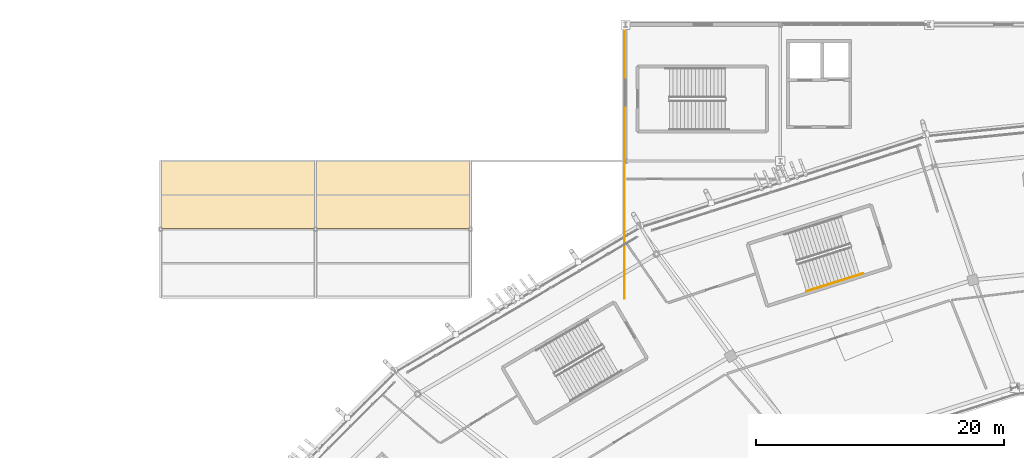
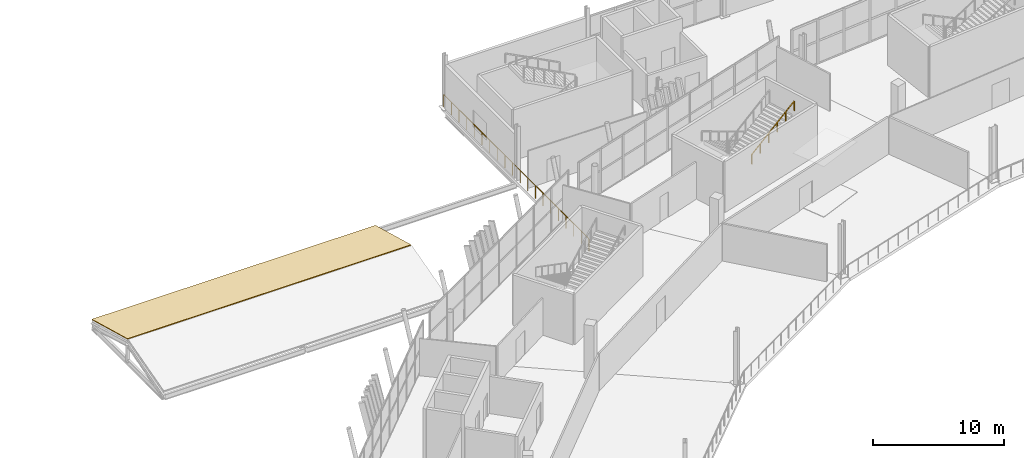
# One storey, part 173 of 179: 2 railings, 1 covering, 1 element without a shape of its own.
"""IFC4 building model written with IfcOpenShell, lengths in metres."""

from ifc_helpers import new_model, si_unit, direction, frame, origin, origin_2d, place, context, subcontext, project, spatial, polyline, rectangle, outline, extrude, material, layer, layer_set, type_object, element, aggregate, save


model = new_model("IFC4")

# Units and contexts
model_context = context("Model", 3, precision=1e-05, world=origin(), true_north=direction((0.0, 1.0)))
body_context = subcontext(model_context, "Body", "Model", "MODEL_VIEW")
ifc_project = project(units=[si_unit("LENGTHUNIT", "METRE"), si_unit("AREAUNIT", "SQUARE_METRE"), si_unit("VOLUMEUNIT", "CUBIC_METRE"), si_unit("PLANEANGLEUNIT", "RADIAN"), si_unit("MASSUNIT", "GRAM", prefix="KILO")], contexts=[model_context])

# Site, building, storey
site_placement = place(None, origin())
site = spatial("IfcSite", under=ifc_project, at=site_placement, CompositionType="ELEMENT")
building_placement = place(site_placement, origin())
building = spatial("IfcBuilding", under=site, at=building_placement, Name="Zlatoyarsky Gate Stadium", CompositionType="ELEMENT")
storey_placement = place(building_placement, frame((0.0, 0.0, 10.60009765625)))
storey = spatial("IfcBuildingStorey", under=building, at=storey_placement, Name="L02", CompositionType="ELEMENT", Elevation=10.60009765625)

# Railings
ifc_material_1 = material(Name="Powder-coated steel tubular guardrail", Category="steel")
railing_type_1 = type_object("IfcRailingType", Name="CONCOURSE SLAB EDGE GUARDRAIL 1200", PredefinedType="GUARDRAIL", material=ifc_material_1)
railing_1_placement = place(storey_placement, frame((61.919921875, 137.919921875, 0.0)))
element("IfcRailing", 1, at=railing_1_placement, inside=storey, type_object=railing_type_1, Name="V2_NORTH L02 W slab edge guardrail", PredefinedType="GUARDRAIL", context=body_context, shape_type="SweptSolid", body=[
    extrude(rectangle(XDim=0.048095703125, YDim=0.048095703125, at=origin_2d()), frame((0.0, 0.0, 1.17578125), z_axis=(0.0, 1.0, 0.0), x_axis=(-1.0, 0.0, 0.0)), (0.0, 0.0, 1.0), 22.16015625),
    extrude(rectangle(XDim=0.0419921875, YDim=0.0419921875, at=origin_2d()), origin(), (0.0, 0.0, 1.0), 1.15185546875),
    extrude(rectangle(XDim=0.0419921875, YDim=0.0419921875, at=origin_2d()), frame((0.0, 1.166259765625, 0.0)), (0.0, 0.0, 1.0), 1.15185546875),
    extrude(rectangle(XDim=0.0419921875, YDim=0.0419921875, at=origin_2d()), frame((0.0, 2.332763671875, 0.0)), (0.0, 0.0, 1.0), 1.15185546875),
    extrude(rectangle(XDim=0.0419921875, YDim=0.0419921875, at=origin_2d()), frame((0.0, 3.4990234375, 0.0)), (0.0, 0.0, 1.0), 1.15185546875),
    extrude(rectangle(XDim=0.0419921875, YDim=0.0419921875, at=origin_2d()), frame((0.0, 4.665283203125, 0.0)), (0.0, 0.0, 1.0), 1.15185546875),
    extrude(rectangle(XDim=0.0419921875, YDim=0.0419921875, at=origin_2d()), frame((0.0, 5.83154296875, 0.0)), (0.0, 0.0, 1.0), 1.15185546875),
    extrude(rectangle(XDim=0.0419921875, YDim=0.0419921875, at=origin_2d()), frame((0.0, 6.998046875, 0.0)), (0.0, 0.0, 1.0), 1.15185546875),
    extrude(rectangle(XDim=0.0419921875, YDim=0.0419921875, at=origin_2d()), frame((0.0, 8.164306640625, 0.0)), (0.0, 0.0, 1.0), 1.15185546875),
    extrude(rectangle(XDim=0.0419921875, YDim=0.0419921875, at=origin_2d()), frame((0.0, 9.33056640625, 0.0)), (0.0, 0.0, 1.0), 1.15185546875),
    extrude(rectangle(XDim=0.0419921875, YDim=0.0419921875, at=origin_2d()), frame((0.0, 10.496826171875, 0.0)), (0.0, 0.0, 1.0), 1.15185546875),
    extrude(rectangle(XDim=0.0419921875, YDim=0.0419921875, at=origin_2d()), frame((0.0, 11.663330078125, 0.0)), (0.0, 0.0, 1.0), 1.15185546875),
    extrude(rectangle(XDim=0.0419921875, YDim=0.0419921875, at=origin_2d()), frame((0.0, 12.82958984375, 0.0)), (0.0, 0.0, 1.0), 1.15185546875),
    extrude(rectangle(XDim=0.0419921875, YDim=0.0419921875, at=origin_2d()), frame((0.0, 13.995849609375, 0.0)), (0.0, 0.0, 1.0), 1.15185546875),
    extrude(rectangle(XDim=0.0419921875, YDim=0.0419921875, at=origin_2d()), frame((0.0, 15.162109375, 0.0)), (0.0, 0.0, 1.0), 1.15185546875),
    extrude(rectangle(XDim=0.0419921875, YDim=0.0419921875, at=origin_2d()), frame((0.0, 16.32861328125, 0.0)), (0.0, 0.0, 1.0), 1.15185546875),
    extrude(rectangle(XDim=0.0419921875, YDim=0.0419921875, at=origin_2d()), frame((0.0, 17.494873046875, 0.0)), (0.0, 0.0, 1.0), 1.15185546875),
    extrude(rectangle(XDim=0.0419921875, YDim=0.0419921875, at=origin_2d()), frame((0.0, 18.6611328125, 0.0)), (0.0, 0.0, 1.0), 1.15185546875),
    extrude(rectangle(XDim=0.0419921875, YDim=0.0419921875, at=origin_2d()), frame((0.0, 19.827392578125, 0.0)), (0.0, 0.0, 1.0), 1.15185546875),
    extrude(rectangle(XDim=0.0419921875, YDim=0.0419921875, at=origin_2d()), frame((0.0, 20.993896484375, 0.0)), (0.0, 0.0, 1.0), 1.15185546875),
    extrude(rectangle(XDim=0.0419921875, YDim=0.0419921875, at=origin_2d()), frame((0.0, 22.16015625, 0.0)), (0.0, 0.0, 1.0), 1.15185546875),
])
ifc_material_2 = material(Name="Brushed stainless steel 316 handrail", Category="steel")
railing_type_2 = type_object("IfcRailingType", Name="STAINLESS STEEL TUBULAR HANDRAIL 900", PredefinedType="HANDRAIL", material=ifc_material_2)
railing_2_placement = place(storey_placement, frame((76.601806640625, 138.48583984375, 2.66015625)))
element("IfcRailing", 2, at=railing_2_placement, inside=storey, type_object=railing_type_2, Name="ST-14 L02 stair handrail 2", PredefinedType="HANDRAIL", context=body_context, shape_type="SweptSolid", body=[
    extrude(rectangle(XDim=0.048095703125, YDim=0.048095703125, at=origin_2d()), frame((0.0, 0.0, 0.8759765625), z_axis=(0.845641023653, 0.267414914553, 0.461931296395), x_axis=(-0.301511080938, 0.953462672616, 0.0)), (0.0, 0.0, 1.0), 5.412109375),
    extrude(rectangle(XDim=0.0419921875, YDim=0.0419921875, at=origin_2d()), origin(), (0.0, 0.0, 1.0), 0.851806640625),
    extrude(rectangle(XDim=0.0419921875, YDim=0.0419921875, at=origin_2d()), frame((0.915283203125, 0.28955078125, 0.5)), (0.0, 0.0, 1.0), 0.851806640625),
    extrude(rectangle(XDim=0.0419921875, YDim=0.0419921875, at=origin_2d()), frame((1.83056640625, 0.578857421875, 1.0)), (0.0, 0.0, 1.0), 0.851806640625),
    extrude(rectangle(XDim=0.0419921875, YDim=0.0419921875, at=origin_2d()), frame((2.74609375, 0.868408203125, 1.5)), (0.0, 0.0, 1.0), 0.851806640625),
    extrude(rectangle(XDim=0.0419921875, YDim=0.0419921875, at=origin_2d()), frame((3.661376953125, 1.15771484375, 2.0)), (0.0, 0.0, 1.0), 0.851806640625),
    extrude(rectangle(XDim=0.0419921875, YDim=0.0419921875, at=origin_2d()), frame((4.57666015625, 1.447265625, 2.5)), (0.0, 0.0, 1.0), 0.851806640625),
])

# Roof, covering
ifc_material_3 = material(Name="Standing-seam aluminium-zinc roofing with mineral wool insulation", Category="aluminium")
ifc_layer_1 = layer(ifc_material_3, 0.080078125)
ifc_layer_set_1 = layer_set([ifc_layer_1], Name="Standing-seam aluminium-zinc roofing with mineral wool insulation")
roof_type = type_object("IfcRoofType", Name="WINTER GARDEN PAVILION ROOF ASSEMBLY", PredefinedType="PAVILION_ROOF", material=ifc_layer_set_1)
roof_placement = place(storey_placement, origin())
roof = element("IfcRoof", 3, at=roof_placement, inside=storey, type_object=roof_type, Name="V6_NW pavilion roof", PredefinedType="PAVILION_ROOF")
ifc_layer_2 = layer(ifc_material_3, 0.06005859375)
ifc_layer_set_2 = layer_set([ifc_layer_2], Name="Standing-seam aluminium-zinc roofing with mineral wool insulation")
covering_type = type_object("IfcCoveringType", Name="STANDING SEAM ALUMINIUM ZINC ROOFING 60", PredefinedType="ROOFING", material=ifc_layer_set_2)
covering_placement = place(storey_placement, frame((49.5, 149.0, 0.059814453125), z_axis=(0.0, 0.263121064037, 0.964762823527), x_axis=(-1.0, 0.0, 0.0)))
covering = element("IfcCovering", 4, at=covering_placement, type_object=covering_type, Name="V6_NW standing seam roofing 2", PredefinedType="ROOFING", context=body_context, shape_type="SweptSolid", body=[
    extrude(outline(polyline([(0.0, 0.0), (25.0, 0.0), (25.0, 5.646981738949474), (0.0, 5.646981738949474), (0.0, 0.0)])), origin(), (0.0, 0.0, -1.0), 0.06005859375),
])
aggregate(roof, [covering])

save(model, "model.ifc")
